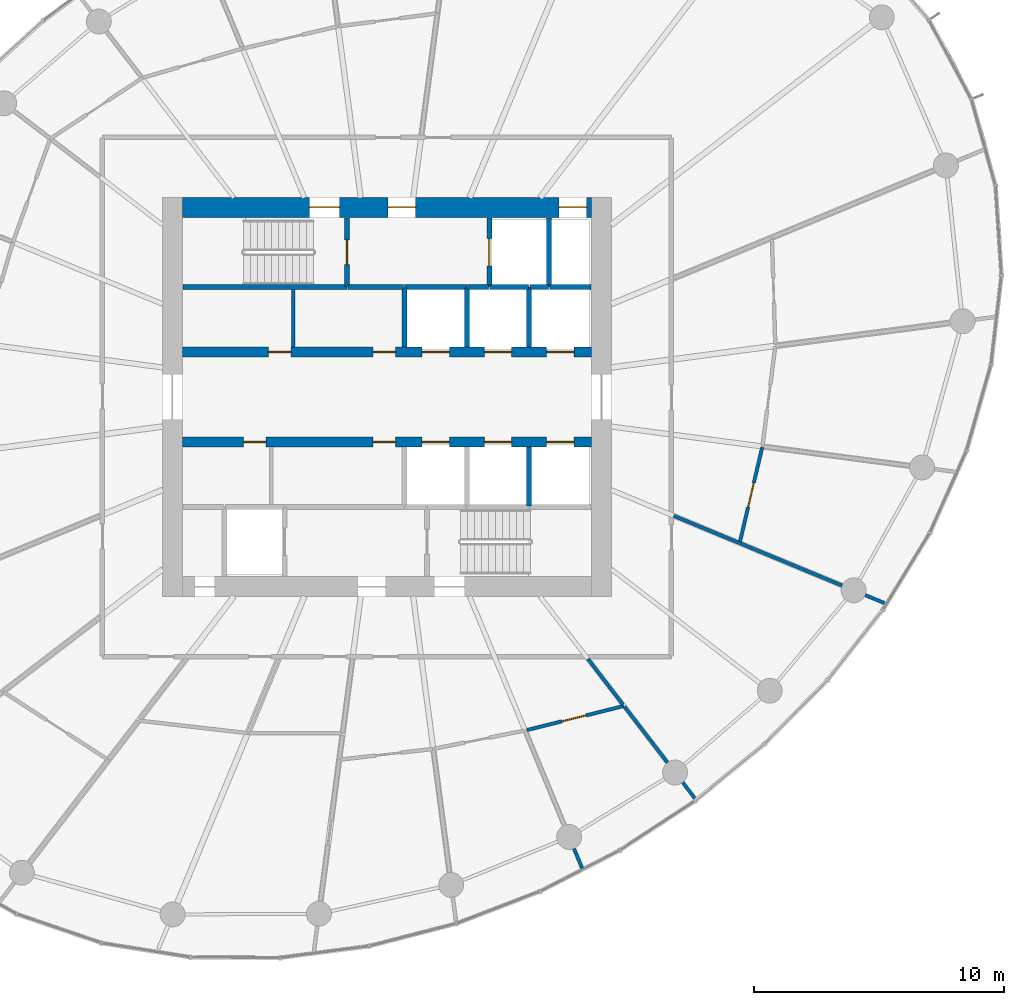
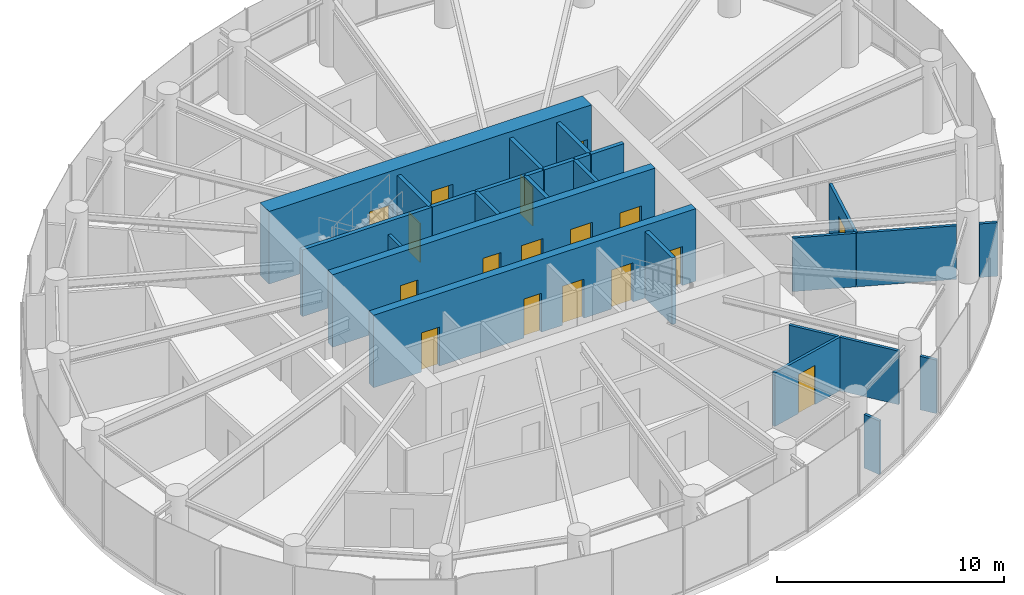
# One storey, part 10 of 14: 27 walls, 17 doors, 17 openings.
"""IFC4 building model written with IfcOpenShell, lengths in metres."""

from ifc_helpers import new_model, si_unit, direction, frame, frame_2d, origin, place, context, subcontext, project, spatial, rectangle, extrude, source, transform, mapped, material, layer, layer_set, type_object, element, fill, save


model = new_model("IFC4")

# Units and contexts
model_context = context("Model", 3, precision=1e-05, world=origin(), true_north=direction((0.0, 1.0)))
body_context = subcontext(model_context, "Body", "Model", "MODEL_VIEW")
ifc_project = project(units=[si_unit("LENGTHUNIT", "METRE"), si_unit("AREAUNIT", "SQUARE_METRE"), si_unit("VOLUMEUNIT", "CUBIC_METRE"), si_unit("PLANEANGLEUNIT", "RADIAN"), si_unit("MASSUNIT", "GRAM", prefix="KILO")], contexts=[model_context])

# Site, building, storey
site_placement = place(None, origin())
site = spatial("IfcSite", under=ifc_project, at=site_placement, CompositionType="ELEMENT")
building_placement = place(site_placement, origin())
building = spatial("IfcBuilding", under=site, at=building_placement, Name="Spindrift Exchange Tower", CompositionType="ELEMENT")
storey_placement = place(building_placement, frame((0.0, 0.0, 160.39990234375)))
storey = spatial("IfcBuildingStorey", under=building, at=storey_placement, Name="L38", CompositionType="ELEMENT", Elevation=160.39990234375)

# Wall, openings, doors
ifc_material_1 = material(Name="Concrete 65 MPa", Category="concrete")
ifc_layer_1 = layer(ifc_material_1, 0.800048828125)
ifc_layer_set_1 = layer_set([ifc_layer_1], Name="RC Core Wall 800 Concrete 65 MPa")
wall_type_1 = type_object("IfcWallType", Name="RC Core Wall 800 Concrete 65 MPa", PredefinedType="SHEAR", material=ifc_layer_set_1)
wall_1_placement = place(storey_placement, frame((60.199951171875, 55.60009765625, 0.0), z_axis=(0.0, 0.0, 1.0), x_axis=(-1.0, 0.0, 0.0)))
wall_1 = element("IfcWall", 1, at=wall_1_placement, inside=storey, type_object=wall_type_1, Name="Core wall N L38", PredefinedType="SHEAR", context=body_context, shape_type="SweptSolid", body=[
    extrude(rectangle(XDim=16.39990234375, YDim=0.800048828125, at=frame_2d((8.199951171875, 0.0))), origin(), (0.0, 0.0, 1.0), 3.900146484375),
])
opening_1_placement = place(wall_1_placement, frame((0.199951171875, 0.0, 0.0)))
opening_1 = element("IfcOpeningElement", 2, at=opening_1_placement, cuts=wall_1, Name="Opening L38-D11", PredefinedType="OPENING", context=body_context, shape_type="SweptSolid", body=[
    extrude(rectangle(XDim=1.10009765625, YDim=2.10009765625, at=frame_2d((0.550048828125, 1.050048828125))), frame((0.0, 0.409912109375, 0.0), z_axis=(0.0, -1.0, 0.0), x_axis=(1.0, 0.0, 0.0)), (0.0, 0.0, 1.0), 0.820068359375),
])
opening_2_placement = place(wall_1_placement, frame((10.10009765625, 0.0, 0.0)))
opening_2 = element("IfcOpeningElement", 3, at=opening_2_placement, cuts=wall_1, Name="Opening L38-D12", PredefinedType="OPENING", context=body_context, shape_type="SweptSolid", body=[
    extrude(rectangle(XDim=1.199951171875, YDim=2.10009765625, at=frame_2d((0.60009765625, 1.050048828125))), frame((0.0, 0.409912109375, 0.0), z_axis=(0.0, -1.0, 0.0), x_axis=(1.0, 0.0, 0.0)), (0.0, 0.0, 1.0), 0.820068359375),
])
opening_3_placement = place(wall_1_placement, frame((7.050048828125, 0.0, 0.0)))
opening_3 = element("IfcOpeningElement", 4, at=opening_3_placement, cuts=wall_1, Name="Opening L38-D14", PredefinedType="OPENING", context=body_context, shape_type="SweptSolid", body=[
    extrude(rectangle(XDim=1.10009765625, YDim=2.10009765625, at=frame_2d((0.550048828125, 1.050048828125))), frame((0.0, 0.409912109375, 0.0), z_axis=(0.0, -1.0, 0.0), x_axis=(1.0, 0.0, 0.0)), (0.0, 0.0, 1.0), 0.820068359375),
])
ifc_material_2 = material(Name="Stainless steel landing door", Category="steel")
door_type_1 = type_object("IfcDoorType", Name="DR-LANDING-1100-SL", OperationType="DOUBLE_DOOR_SLIDING", PredefinedType="USERDEFINED", material=ifc_material_2)
shared_shape_1 = source(origin(), body_context, "Body", "SweptSolid", [
    extrude(rectangle(XDim=1.10009765625, YDim=2.10009765625, at=frame_2d((0.550048828125, 1.050048828125))), frame((0.0, 0.02490234375, 0.0), z_axis=(0.0, -1.0, 0.0), x_axis=(1.0, 0.0, 0.0)), (0.0, 0.0, 1.0), 0.050048828125),
])
door_1_placement = place(opening_1_placement, origin())
door_1 = element("IfcDoor", 5, at=door_1_placement, inside=storey, type_object=door_type_1, Name="L38 Lift landing door 11", ObjectType="LANDING DOOR", OperationType="DOUBLE_DOOR_SLIDING", OverallHeight=2.10009765625, OverallWidth=1.10009765625, PredefinedType="USERDEFINED", context=body_context, shape_type="MappedRepresentation", body=[
    mapped(shared_shape_1, transform((0.0, 0.0, 0.0), scale=1.0)),
])
fill(opening_1, door_1)
ifc_material_3 = material(Name="Steel fire door", Category="steel")
door_type_2 = type_object("IfcDoorType", Name="DR-STAIR-1200", OperationType="NOTDEFINED", PredefinedType="DOOR", material=ifc_material_3)
shared_shape_2 = source(origin(), body_context, "Body", "SweptSolid", [
    extrude(rectangle(XDim=1.199951171875, YDim=2.10009765625, at=frame_2d((0.60009765625, 1.050048828125))), frame((0.0, 0.02490234375, 0.0), z_axis=(0.0, -1.0, 0.0), x_axis=(1.0, 0.0, 0.0)), (0.0, 0.0, 1.0), 0.050048828125),
])
door_2_placement = place(opening_2_placement, origin())
door_2 = element("IfcDoor", 6, at=door_2_placement, inside=storey, type_object=door_type_2, Name="L38 Stair door 12", OperationType="SINGLE_SWING_RIGHT", OverallHeight=2.10009765625, OverallWidth=1.199951171875, PredefinedType="DOOR", context=body_context, shape_type="MappedRepresentation", body=[
    mapped(shared_shape_2, transform((0.0, 0.0, 0.0), scale=1.0)),
])
fill(opening_2, door_2)
ifc_material_4 = material(Name="Timber-core fire door", Category="wood")
door_type_3 = type_object("IfcDoorType", Name="DR-LOBBY-1100", OperationType="NOTDEFINED", PredefinedType="DOOR", material=ifc_material_4)
shared_shape_3 = source(origin(), body_context, "Body", "SweptSolid", [
    extrude(rectangle(XDim=1.10009765625, YDim=2.10009765625, at=frame_2d((0.550048828125, 1.050048828125))), frame((0.0, 0.02490234375, 0.0), z_axis=(0.0, -1.0, 0.0), x_axis=(1.0, 0.0, 0.0)), (0.0, 0.0, 1.0), 0.050048828125),
])
door_3_placement = place(opening_3_placement, origin())
door_3 = element("IfcDoor", 7, at=door_3_placement, inside=storey, type_object=door_type_3, Name="L38 Lobby door 14", OperationType="SINGLE_SWING_RIGHT", OverallHeight=2.10009765625, OverallWidth=1.10009765625, PredefinedType="DOOR", context=body_context, shape_type="MappedRepresentation", body=[
    mapped(shared_shape_3, transform((0.0, 0.0, 0.0), scale=1.0)),
])
fill(opening_3, door_3)

ifc_layer_2 = layer(ifc_material_1, 0.39990234375)
ifc_layer_set_2 = layer_set([ifc_layer_2], Name="RC Spine Wall 400 Concrete 65 MPa")
wall_type_2 = type_object("IfcWallType", Name="RC Spine Wall 400 Concrete 65 MPa", PredefinedType="SHEAR", material=ifc_layer_set_2)
wall_2_placement = place(storey_placement, frame((43.800048828125, 49.800048828125, 0.0), z_axis=(0.0, 0.0, 1.0), x_axis=(1.0, 0.0, 0.0)))
wall_2 = element("IfcWall", 8, at=wall_2_placement, inside=storey, type_object=wall_type_2, Name="Core spine wall N L38", PredefinedType="SHEAR", context=body_context, shape_type="SweptSolid", body=[
    extrude(rectangle(XDim=16.39990234375, YDim=0.39990234375, at=frame_2d((8.199951171875, 0.0))), origin(), (0.0, 0.0, 1.0), 3.900146484375),
])
opening_4_placement = place(wall_2_placement, frame((9.60009765625, 0.0, 0.0)))
opening_4 = element("IfcOpeningElement", 9, at=opening_4_placement, cuts=wall_2, Name="Opening L38-D3", PredefinedType="OPENING", context=body_context, shape_type="SweptSolid", body=[
    extrude(rectangle(XDim=1.10009765625, YDim=2.10009765625, at=frame_2d((0.550048828125, 1.050048828125))), frame((0.0, 0.2099609375, 0.0), z_axis=(0.0, -1.0, 0.0), x_axis=(1.0, 0.0, 0.0)), (0.0, 0.0, 1.0), 0.419921875),
])
opening_5_placement = place(wall_2_placement, frame((12.10009765625, 0.0, 0.0)))
opening_5 = element("IfcOpeningElement", 10, at=opening_5_placement, cuts=wall_2, Name="Opening L38-D4", PredefinedType="OPENING", context=body_context, shape_type="SweptSolid", body=[
    extrude(rectangle(XDim=1.10009765625, YDim=2.10009765625, at=frame_2d((0.550048828125, 1.050048828125))), frame((0.0, 0.2099609375, 0.0), z_axis=(0.0, -1.0, 0.0), x_axis=(1.0, 0.0, 0.0)), (0.0, 0.0, 1.0), 0.419921875),
])
opening_6_placement = place(wall_2_placement, frame((14.60009765625, 0.0, 0.0)))
opening_6 = element("IfcOpeningElement", 11, at=opening_6_placement, cuts=wall_2, Name="Opening L38-D5", PredefinedType="OPENING", context=body_context, shape_type="SweptSolid", body=[
    extrude(rectangle(XDim=1.10009765625, YDim=2.10009765625, at=frame_2d((0.550048828125, 1.050048828125))), frame((0.0, 0.2099609375, 0.0), z_axis=(0.0, -1.0, 0.0), x_axis=(1.0, 0.0, 0.0)), (0.0, 0.0, 1.0), 0.419921875),
])
opening_7_placement = place(wall_2_placement, frame((3.449951171875, 0.0, 0.0)))
opening_7 = element("IfcOpeningElement", 12, at=opening_7_placement, cuts=wall_2, Name="Opening L38-D45", PredefinedType="OPENING", context=body_context, shape_type="SweptSolid", body=[
    extrude(rectangle(XDim=0.89990234375, YDim=2.10009765625, at=frame_2d((0.449951171875, 1.050048828125))), frame((0.0, 0.2099609375, 0.0), z_axis=(0.0, -1.0, 0.0), x_axis=(1.0, 0.0, 0.0)), (0.0, 0.0, 1.0), 0.419921875),
])
opening_8_placement = place(wall_2_placement, frame((7.64990234375, 0.0, 0.0)))
opening_8 = element("IfcOpeningElement", 13, at=opening_8_placement, cuts=wall_2, Name="Opening L38-D46", PredefinedType="OPENING", context=body_context, shape_type="SweptSolid", body=[
    extrude(rectangle(XDim=0.89990234375, YDim=2.10009765625, at=frame_2d((0.449951171875, 1.050048828125))), frame((0.0, 0.2099609375, 0.0), z_axis=(0.0, -1.0, 0.0), x_axis=(1.0, 0.0, 0.0)), (0.0, 0.0, 1.0), 0.419921875),
])
door_4_placement = place(opening_4_placement, origin())
door_4 = element("IfcDoor", 14, at=door_4_placement, inside=storey, type_object=door_type_1, Name="L38 Lift landing door 3", ObjectType="LANDING DOOR", OperationType="DOUBLE_DOOR_SLIDING", OverallHeight=2.10009765625, OverallWidth=1.10009765625, PredefinedType="USERDEFINED", context=body_context, shape_type="MappedRepresentation", body=[
    mapped(shared_shape_1, transform((0.0, 0.0, 0.0), scale=1.0)),
])
fill(opening_4, door_4)
door_5_placement = place(opening_5_placement, origin())
door_5 = element("IfcDoor", 15, at=door_5_placement, inside=storey, type_object=door_type_1, Name="L38 Lift landing door 4", ObjectType="LANDING DOOR", OperationType="DOUBLE_DOOR_SLIDING", OverallHeight=2.10009765625, OverallWidth=1.10009765625, PredefinedType="USERDEFINED", context=body_context, shape_type="MappedRepresentation", body=[
    mapped(shared_shape_1, transform((0.0, 0.0, 0.0), scale=1.0)),
])
fill(opening_5, door_5)
door_6_placement = place(opening_6_placement, origin())
door_6 = element("IfcDoor", 16, at=door_6_placement, inside=storey, type_object=door_type_1, Name="L38 Lift landing door 5", ObjectType="LANDING DOOR", OperationType="DOUBLE_DOOR_SLIDING", OverallHeight=2.10009765625, OverallWidth=1.10009765625, PredefinedType="USERDEFINED", context=body_context, shape_type="MappedRepresentation", body=[
    mapped(shared_shape_1, transform((0.0, 0.0, 0.0), scale=1.0)),
])
fill(opening_6, door_6)
ifc_material_5 = material(Name="Steel access door", Category="steel")
door_type_4 = type_object("IfcDoorType", Name="DR-RISER-900", OperationType="NOTDEFINED", PredefinedType="DOOR", material=ifc_material_5)
shared_shape_4 = source(origin(), body_context, "Body", "SweptSolid", [
    extrude(rectangle(XDim=0.89990234375, YDim=2.10009765625, at=frame_2d((0.449951171875, 1.050048828125))), frame((0.0, 0.02490234375, 0.0), z_axis=(0.0, -1.0, 0.0), x_axis=(1.0, 0.0, 0.0)), (0.0, 0.0, 1.0), 0.050048828125),
])
door_7_placement = place(opening_7_placement, origin())
door_7 = element("IfcDoor", 17, at=door_7_placement, inside=storey, type_object=door_type_4, Name="L38 Riser door 45", OperationType="SINGLE_SWING_LEFT", OverallHeight=2.10009765625, OverallWidth=0.89990234375, PredefinedType="DOOR", context=body_context, shape_type="MappedRepresentation", body=[
    mapped(shared_shape_4, transform((0.0, 0.0, 0.0), scale=1.0)),
])
fill(opening_7, door_7)
door_8_placement = place(opening_8_placement, origin())
door_8 = element("IfcDoor", 18, at=door_8_placement, inside=storey, type_object=door_type_4, Name="L38 Riser door 46", OperationType="SINGLE_SWING_RIGHT", OverallHeight=2.10009765625, OverallWidth=0.89990234375, PredefinedType="DOOR", context=body_context, shape_type="MappedRepresentation", body=[
    mapped(shared_shape_4, transform((0.0, 0.0, 0.0), scale=1.0)),
])
fill(opening_8, door_8)

wall_3_placement = place(storey_placement, frame((43.800048828125, 46.199951171875, 0.0), z_axis=(0.0, 0.0, 1.0), x_axis=(1.0, 0.0, 0.0)))
wall_3 = element("IfcWall", 19, at=wall_3_placement, inside=storey, type_object=wall_type_2, Name="Core spine wall S L38", PredefinedType="SHEAR", context=body_context, shape_type="SweptSolid", body=[
    extrude(rectangle(XDim=16.39990234375, YDim=0.39990234375, at=frame_2d((8.199951171875, 0.0))), origin(), (0.0, 0.0, 1.0), 3.900146484375),
])
opening_9_placement = place(wall_3_placement, frame((9.60009765625, 0.0, 0.0)))
opening_9 = element("IfcOpeningElement", 20, at=opening_9_placement, cuts=wall_3, Name="Opening L38-D6", PredefinedType="OPENING", context=body_context, shape_type="SweptSolid", body=[
    extrude(rectangle(XDim=1.10009765625, YDim=2.10009765625, at=frame_2d((0.550048828125, 1.050048828125))), frame((0.0, 0.2099609375, 0.0), z_axis=(0.0, -1.0, 0.0), x_axis=(1.0, 0.0, 0.0)), (0.0, 0.0, 1.0), 0.419921875),
])
opening_10_placement = place(wall_3_placement, frame((12.10009765625, 0.0, 0.0)))
opening_10 = element("IfcOpeningElement", 21, at=opening_10_placement, cuts=wall_3, Name="Opening L38-D7", PredefinedType="OPENING", context=body_context, shape_type="SweptSolid", body=[
    extrude(rectangle(XDim=1.10009765625, YDim=2.10009765625, at=frame_2d((0.550048828125, 1.050048828125))), frame((0.0, 0.2099609375, 0.0), z_axis=(0.0, -1.0, 0.0), x_axis=(1.0, 0.0, 0.0)), (0.0, 0.0, 1.0), 0.419921875),
])
opening_11_placement = place(wall_3_placement, frame((14.60009765625, 0.0, 0.0)))
opening_11 = element("IfcOpeningElement", 22, at=opening_11_placement, cuts=wall_3, Name="Opening L38-D8", PredefinedType="OPENING", context=body_context, shape_type="SweptSolid", body=[
    extrude(rectangle(XDim=1.10009765625, YDim=2.10009765625, at=frame_2d((0.550048828125, 1.050048828125))), frame((0.0, 0.2099609375, 0.0), z_axis=(0.0, -1.0, 0.0), x_axis=(1.0, 0.0, 0.0)), (0.0, 0.0, 1.0), 0.419921875),
])
opening_12_placement = place(wall_3_placement, frame((2.449951171875, 0.0, 0.0)))
opening_12 = element("IfcOpeningElement", 23, at=opening_12_placement, cuts=wall_3, Name="Opening L38-D47", PredefinedType="OPENING", context=body_context, shape_type="SweptSolid", body=[
    extrude(rectangle(XDim=0.89990234375, YDim=2.10009765625, at=frame_2d((0.449951171875, 1.050048828125))), frame((0.0, 0.2099609375, 0.0), z_axis=(0.0, -1.0, 0.0), x_axis=(1.0, 0.0, 0.0)), (0.0, 0.0, 1.0), 0.419921875),
])
opening_13_placement = place(wall_3_placement, frame((7.64990234375, 0.0, 0.0)))
opening_13 = element("IfcOpeningElement", 24, at=opening_13_placement, cuts=wall_3, Name="Opening L38-D48", PredefinedType="OPENING", context=body_context, shape_type="SweptSolid", body=[
    extrude(rectangle(XDim=0.89990234375, YDim=2.10009765625, at=frame_2d((0.449951171875, 1.050048828125))), frame((0.0, 0.2099609375, 0.0), z_axis=(0.0, -1.0, 0.0), x_axis=(1.0, 0.0, 0.0)), (0.0, 0.0, 1.0), 0.419921875),
])
door_9_placement = place(opening_9_placement, origin())
door_9 = element("IfcDoor", 25, at=door_9_placement, inside=storey, type_object=door_type_1, Name="L38 Lift landing door 6", ObjectType="LANDING DOOR", OperationType="DOUBLE_DOOR_SLIDING", OverallHeight=2.10009765625, OverallWidth=1.10009765625, PredefinedType="USERDEFINED", context=body_context, shape_type="MappedRepresentation", body=[
    mapped(shared_shape_1, transform((0.0, 0.0, 0.0), scale=1.0)),
])
fill(opening_9, door_9)
door_10_placement = place(opening_10_placement, origin())
door_10 = element("IfcDoor", 26, at=door_10_placement, inside=storey, type_object=door_type_1, Name="L38 Lift landing door 7", ObjectType="LANDING DOOR", OperationType="DOUBLE_DOOR_SLIDING", OverallHeight=2.10009765625, OverallWidth=1.10009765625, PredefinedType="USERDEFINED", context=body_context, shape_type="MappedRepresentation", body=[
    mapped(shared_shape_1, transform((0.0, 0.0, 0.0), scale=1.0)),
])
fill(opening_10, door_10)
door_11_placement = place(opening_11_placement, origin())
door_11 = element("IfcDoor", 27, at=door_11_placement, inside=storey, type_object=door_type_1, Name="L38 Lift landing door 8", ObjectType="LANDING DOOR", OperationType="DOUBLE_DOOR_SLIDING", OverallHeight=2.10009765625, OverallWidth=1.10009765625, PredefinedType="USERDEFINED", context=body_context, shape_type="MappedRepresentation", body=[
    mapped(shared_shape_1, transform((0.0, 0.0, 0.0), scale=1.0)),
])
fill(opening_11, door_11)
door_12_placement = place(opening_12_placement, origin())
door_12 = element("IfcDoor", 28, at=door_12_placement, inside=storey, type_object=door_type_4, Name="L38 Riser door 47", OperationType="SINGLE_SWING_LEFT", OverallHeight=2.10009765625, OverallWidth=0.89990234375, PredefinedType="DOOR", context=body_context, shape_type="MappedRepresentation", body=[
    mapped(shared_shape_4, transform((0.0, 0.0, 0.0), scale=1.0)),
])
fill(opening_12, door_12)
door_13_placement = place(opening_13_placement, origin())
door_13 = element("IfcDoor", 29, at=door_13_placement, inside=storey, type_object=door_type_4, Name="L38 Riser door 48", OperationType="SINGLE_SWING_RIGHT", OverallHeight=2.10009765625, OverallWidth=0.89990234375, PredefinedType="DOOR", context=body_context, shape_type="MappedRepresentation", body=[
    mapped(shared_shape_4, transform((0.0, 0.0, 0.0), scale=1.0)),
])
fill(opening_13, door_13)

# Wall
ifc_material_6 = material(Name="Fire-rated plasterboard partition", Category="gypsum")
ifc_layer_3 = layer(ifc_material_6, 0.139892578125)
ifc_layer_set_3 = layer_set([ifc_layer_3], Name="W-PART-140")
wall_type_3 = type_object("IfcWallType", Name="W-PART-140", PredefinedType="PARTITIONING", material=ifc_layer_set_3)
wall_4_placement = place(storey_placement, frame((66.130615234375, 42.14697265625, 0.0), z_axis=(0.0, 0.0, 1.0), x_axis=(0.923872072557, -0.382701441792, 0.0)))
element("IfcWall", 30, at=wall_4_placement, inside=storey, type_object=wall_type_3, Name="L38 Partition wall 47", PredefinedType="PARTITIONING", context=body_context, shape_type="SweptSolid", body=[
    extrude(rectangle(XDim=4.440185546875, YDim=0.139892578125, at=frame_2d((2.22021484375, 0.0))), origin(), (0.0, 0.0, 1.0), 2.880126953125),
])

# Wall, opening, door
wall_5_placement = place(storey_placement, frame((61.498779296875, 35.620849609375, 0.0), z_axis=(0.0, 0.0, 1.0), x_axis=(-0.970705214058, -0.240273567836, 0.0)))
wall_5 = element("IfcWall", 31, at=wall_5_placement, inside=storey, type_object=wall_type_3, Name="L38 Partition wall 58", PredefinedType="PARTITIONING", context=body_context, shape_type="SweptSolid", body=[
    extrude(rectangle(XDim=4.013671875, YDim=0.139892578125, at=frame_2d((2.0068359375, 0.0))), origin(), (0.0, 0.0, 1.0), 2.880126953125),
])
opening_14_placement = place(wall_5_placement, frame((1.5634765625, 0.0, 0.0)))
opening_14 = element("IfcOpeningElement", 32, at=opening_14_placement, cuts=wall_5, Name="Opening L38-D24", PredefinedType="OPENING", context=body_context, shape_type="SweptSolid", body=[
    extrude(rectangle(XDim=1.0, YDim=2.10009765625, at=frame_2d((0.5, 1.050048828125))), frame((0.0, 0.079833984375, 0.0), z_axis=(0.0, -1.0, 0.0), x_axis=(1.0, 0.0, 0.0)), (0.0, 0.0, 1.0), 0.159912109375),
])
door_type_5 = type_object("IfcDoorType", Name="DR-ROOM-1000", OperationType="NOTDEFINED", PredefinedType="DOOR", material=ifc_material_4)
shared_shape_5 = source(origin(), body_context, "Body", "SweptSolid", [
    extrude(rectangle(XDim=1.0, YDim=2.10009765625, at=frame_2d((0.5, 1.050048828125))), frame((0.0, 0.02490234375, 0.0), z_axis=(0.0, -1.0, 0.0), x_axis=(1.0, 0.0, 0.0)), (0.0, 0.0, 1.0), 0.050048828125),
])
door_14_placement = place(opening_14_placement, origin())
door_14 = element("IfcDoor", 33, at=door_14_placement, inside=storey, type_object=door_type_5, Name="L38 Door 24", OperationType="SINGLE_SWING_RIGHT", OverallHeight=2.10009765625, OverallWidth=1.0, PredefinedType="DOOR", context=body_context, shape_type="MappedRepresentation", body=[
    mapped(shared_shape_5, transform((0.0, 0.0, 0.0), scale=1.0)),
])
fill(opening_14, door_14)

wall_6_placement = place(storey_placement, frame((67.036865234375, 45.990234375, 0.0), z_axis=(0.0, 0.0, 1.0), x_axis=(-0.229452538662, -0.973319851077, 0.0)))
wall_6 = element("IfcWall", 34, at=wall_6_placement, inside=storey, type_object=wall_type_3, Name="L38 Partition wall 61", PredefinedType="PARTITIONING", context=body_context, shape_type="SweptSolid", body=[
    extrude(rectangle(XDim=3.918701171875, YDim=0.139892578125, at=frame_2d((1.95947265625, 0.0))), origin(), (0.0, 0.0, 1.0), 2.880126953125),
])
opening_15_placement = place(wall_6_placement, frame((1.46875, 0.0, 0.0)))
opening_15 = element("IfcOpeningElement", 35, at=opening_15_placement, cuts=wall_6, Name="Opening L38-D28", PredefinedType="OPENING", context=body_context, shape_type="SweptSolid", body=[
    extrude(rectangle(XDim=1.0, YDim=2.10009765625, at=frame_2d((0.5, 1.050048828125))), frame((0.0, 0.079833984375, 0.0), z_axis=(0.0, -1.0, 0.0), x_axis=(1.0, 0.0, 0.0)), (0.0, 0.0, 1.0), 0.159912109375),
])
door_15_placement = place(opening_15_placement, origin())
door_15 = element("IfcDoor", 36, at=door_15_placement, inside=storey, type_object=door_type_5, Name="L38 Door 28", OperationType="SINGLE_SWING_RIGHT", OverallHeight=2.10009765625, OverallWidth=1.0, PredefinedType="DOOR", context=body_context, shape_type="MappedRepresentation", body=[
    mapped(shared_shape_5, transform((0.0, 0.0, 0.0), scale=1.0)),
])
fill(opening_15, door_15)

# Walls
wall_7_placement = place(storey_placement, frame((63.489990234375, 43.24072265625, 0.0), z_axis=(0.0, 0.0, 1.0), x_axis=(0.923859015747, -0.382732960462, 0.0)))
element("IfcWall", 37, at=wall_7_placement, inside=storey, type_object=wall_type_3, Name="L38 Partition wall 70", PredefinedType="PARTITIONING", context=body_context, shape_type="SweptSolid", body=[
    extrude(rectangle(XDim=2.828369140625, YDim=0.139892578125, at=frame_2d((1.4140625, 0.0))), origin(), (0.0, 0.0, 1.0), 2.880126953125),
])
wall_8_placement = place(storey_placement, frame((61.51708984375, 35.59716796875, 0.0), z_axis=(0.0, 0.0, 1.0), x_axis=(0.608716333524, -0.793387941238, 0.0)))
element("IfcWall", 38, at=wall_8_placement, inside=storey, type_object=wall_type_3, Name="L38 Partition wall 71", PredefinedType="PARTITIONING", context=body_context, shape_type="SweptSolid", body=[
    extrude(rectangle(XDim=2.8251953125, YDim=0.139892578125, at=frame_2d((1.41259765625, 0.0))), origin(), (0.0, 0.0, 1.0), 2.880126953125),
])
wall_9_placement = place(storey_placement, frame((60.04931640625, 37.510009765625, 0.0), z_axis=(0.0, 0.0, 1.0), x_axis=(0.608742818772, -0.793367620081, 0.0)))
element("IfcWall", 39, at=wall_9_placement, inside=storey, type_object=wall_type_3, Name="L38 Partition wall 73", PredefinedType="PARTITIONING", context=body_context, shape_type="SweptSolid", body=[
    extrude(rectangle(XDim=2.304931640625, YDim=0.139892578125, at=frame_2d((1.15234375, 0.0))), origin(), (0.0, 0.0, 1.0), 2.880126953125),
])
wall_10_placement = place(storey_placement, frame((48.25, 50.010009765625, 0.0), z_axis=(0.0, 0.0, 1.0), x_axis=(0.0, 1.0, 0.0)))
element("IfcWall", 40, at=wall_10_placement, inside=storey, type_object=wall_type_3, Name="L38 Partition wall 75", PredefinedType="PARTITIONING", context=body_context, shape_type="SweptSolid", body=[
    extrude(rectangle(XDim=2.2900390625, YDim=0.139892578125, at=frame_2d((1.14501953125, 0.0))), origin(), (0.0, 0.0, 1.0), 2.880126953125),
])
wall_11_placement = place(storey_placement, frame((59.494140625, 29.90771484375, 0.0), z_axis=(0.0, 0.0, 1.0), x_axis=(0.382722863119, -0.923863198772, 0.0)))
element("IfcWall", 41, at=wall_11_placement, inside=storey, type_object=wall_type_3, Name="L38 Partition wall 90", PredefinedType="PARTITIONING", context=body_context, shape_type="SweptSolid", body=[
    extrude(rectangle(XDim=0.852294921875, YDim=0.139892578125, at=frame_2d((0.42626953125, 0.0))), origin(), (0.0, 0.0, 1.0), 2.880126953125),
])
wall_12_placement = place(storey_placement, frame((71.166015625, 40.061279296875, 0.0), z_axis=(0.0, 0.0, 1.0), x_axis=(0.923909393783, -0.382611332921, 0.0)))
element("IfcWall", 42, at=wall_12_placement, inside=storey, type_object=wall_type_3, Name="L38 Partition wall 95", PredefinedType="PARTITIONING", context=body_context, shape_type="SweptSolid", body=[
    extrude(rectangle(XDim=0.830810546875, YDim=0.139892578125, at=frame_2d((0.41552734375, 0.0))), origin(), (0.0, 0.0, 1.0), 2.880126953125),
])
wall_13_placement = place(storey_placement, frame((63.85107421875, 32.555419921875, 0.0), z_axis=(0.0, 0.0, 1.0), x_axis=(0.608659697441, -0.793431391307, 0.0)))
element("IfcWall", 43, at=wall_13_placement, inside=storey, type_object=wall_type_3, Name="L38 Partition wall 97", PredefinedType="PARTITIONING", context=body_context, shape_type="SweptSolid", body=[
    extrude(rectangle(XDim=0.7861328125, YDim=0.139892578125, at=frame_2d((0.39306640625, 0.0))), origin(), (0.0, 0.0, 1.0), 2.880126953125),
])

# Wall, opening, door
ifc_material_7 = material(Name="Concrete 40 MPa", Category="concrete")
ifc_layer_4 = layer(ifc_material_7, 0.199951171875)
ifc_layer_set_4 = layer_set([ifc_layer_4], Name="W-SHAFT-200")
wall_type_4 = type_object("IfcWallType", Name="W-SHAFT-200", PredefinedType="SOLIDWALL", material=ifc_layer_set_4)
wall_14_placement = place(storey_placement, frame((56.10009765625, 55.179931640625, 0.0), z_axis=(0.0, 0.0, 1.0), x_axis=(0.0, -1.0, 0.0)))
wall_14 = element("IfcWall", 44, at=wall_14_placement, inside=storey, type_object=wall_type_4, Name="L38 Shaft wall 7", PredefinedType="SOLIDWALL", context=body_context, shape_type="SweptSolid", body=[
    extrude(rectangle(XDim=2.780029296875, YDim=0.199951171875, at=frame_2d((1.39013671875, 0.0))), origin(), (0.0, 0.0, 1.0), 3.580078125),
])
opening_16_placement = place(wall_14_placement, frame((0.830078125, 0.0, 0.0)))
opening_16 = element("IfcOpeningElement", 45, at=opening_16_placement, cuts=wall_14, Name="Opening L38-D9", PredefinedType="OPENING", context=body_context, shape_type="SweptSolid", body=[
    extrude(rectangle(XDim=1.10009765625, YDim=2.10009765625, at=frame_2d((0.550048828125, 1.050048828125))), frame((0.0, 0.10986328125, 0.0), z_axis=(0.0, -1.0, 0.0), x_axis=(1.0, 0.0, 0.0)), (0.0, 0.0, 1.0), 0.219970703125),
])
door_16_placement = place(opening_16_placement, origin())
door_16 = element("IfcDoor", 46, at=door_16_placement, inside=storey, type_object=door_type_1, Name="L38 Lift landing door 9", ObjectType="LANDING DOOR", OperationType="DOUBLE_DOOR_SLIDING", OverallHeight=2.10009765625, OverallWidth=1.10009765625, PredefinedType="USERDEFINED", context=body_context, shape_type="MappedRepresentation", body=[
    mapped(shared_shape_1, transform((0.0, 0.0, 0.0), scale=1.0)),
])
fill(opening_16, door_16)

# Walls
wall_15_placement = place(storey_placement, frame((58.5, 52.39990234375, 0.0), z_axis=(0.0, 0.0, 1.0), x_axis=(0.0, 1.0, 0.0)))
element("IfcWall", 47, at=wall_15_placement, inside=storey, type_object=wall_type_4, Name="L38 Shaft wall 8", PredefinedType="SOLIDWALL", context=body_context, shape_type="SweptSolid", body=[
    extrude(rectangle(XDim=2.780029296875, YDim=0.199951171875, at=frame_2d((1.39013671875, 0.0))), origin(), (0.0, 0.0, 1.0), 3.580078125),
])
wall_16_placement = place(storey_placement, frame((55.199951171875, 52.39990234375, 0.0), z_axis=(0.0, 0.0, 1.0), x_axis=(-1.0, 0.0, 0.0)))
element("IfcWall", 48, at=wall_16_placement, inside=storey, type_object=wall_type_4, Name="L38 Shaft wall 9", PredefinedType="SOLIDWALL", context=body_context, shape_type="SweptSolid", body=[
    extrude(rectangle(XDim=2.5, YDim=0.199951171875, at=frame_2d((1.25, 0.0))), origin(), (0.0, 0.0, 1.0), 3.580078125),
])
for number, where, z_axis, x_axis, name in (
    (49, (52.699951171875, 52.3701171875, 0.0), (0.0, 0.0, 1.0), (0.0, -1.0, 0.0), "L38 Shaft wall 14"),
    (50, (55.199951171875, 50.010009765625, 0.0), (0.0, 0.0, 1.0), (0.0, 1.0, 0.0), "L38 Shaft wall 16"),
):
    element("IfcWall", number, at=place(storey_placement, frame(where, z_axis=z_axis, x_axis=x_axis)), inside=storey, type_object=wall_type_4, Name=name, PredefinedType="SOLIDWALL", context=body_context, shape_type="SweptSolid", body=[
        extrude(rectangle(XDim=2.360107421875, YDim=0.199951171875, at=frame_2d((1.18017578125, 0.0))), origin(), (0.0, 0.0, 1.0), 3.580078125),
    ])
wall_17_placement = place(storey_placement, frame((57.699951171875, 50.010009765625, 0.0), z_axis=(0.0, 0.0, 1.0), x_axis=(0.0, 1.0, 0.0)))
element("IfcWall", 51, at=wall_17_placement, inside=storey, type_object=wall_type_4, Name="L38 Shaft wall 18", PredefinedType="SOLIDWALL", context=body_context, shape_type="SweptSolid", body=[
    extrude(rectangle(XDim=2.389892578125, YDim=0.199951171875, at=frame_2d((1.19482421875, 0.0))), origin(), (0.0, 0.0, 1.0), 3.580078125),
])
wall_18_placement = place(storey_placement, frame((60.179931640625, 52.39990234375, 0.0), z_axis=(0.0, 0.0, 1.0), x_axis=(-1.0, 0.0, 0.0)))
element("IfcWall", 52, at=wall_18_placement, inside=storey, type_object=wall_type_4, Name="L38 Shaft wall 21", PredefinedType="SOLIDWALL", context=body_context, shape_type="SweptSolid", body=[
    extrude(rectangle(XDim=1.64990234375, YDim=0.199951171875, at=frame_2d((0.824951171875, 0.0))), origin(), (0.0, 0.0, 1.0), 3.580078125),
])
wall_19_placement = place(storey_placement, frame((57.669921875, 52.39990234375, 0.0), z_axis=(0.0, 0.0, 1.0), x_axis=(-1.0, 0.0, 0.0)))
element("IfcWall", 53, at=wall_19_placement, inside=storey, type_object=wall_type_4, Name="L38 Shaft wall 23", PredefinedType="SOLIDWALL", context=body_context, shape_type="SweptSolid", body=[
    extrude(rectangle(XDim=1.5400390625, YDim=0.199951171875, at=frame_2d((0.77001953125, 0.0))), origin(), (0.0, 0.0, 1.0), 3.580078125),
])
wall_20_placement = place(storey_placement, frame((56.070068359375, 52.39990234375, 0.0), z_axis=(0.0, 0.0, 1.0), x_axis=(-1.0, 0.0, 0.0)))
element("IfcWall", 54, at=wall_20_placement, inside=storey, type_object=wall_type_4, Name="L38 Shaft wall 25", PredefinedType="SOLIDWALL", context=body_context, shape_type="SweptSolid", body=[
    extrude(rectangle(XDim=0.840087890625, YDim=0.199951171875, at=frame_2d((0.419921875, 0.0))), origin(), (0.0, 0.0, 1.0), 3.580078125),
])
wall_21_placement = place(storey_placement, frame((58.469970703125, 52.39990234375, 0.0), z_axis=(0.0, 0.0, 1.0), x_axis=(-1.0, 0.0, 0.0)))
element("IfcWall", 55, at=wall_21_placement, inside=storey, type_object=wall_type_4, Name="L38 Shaft wall 26", PredefinedType="SOLIDWALL", context=body_context, shape_type="SweptSolid", body=[
    extrude(rectangle(XDim=0.739990234375, YDim=0.199951171875, at=frame_2d((0.3701171875, 0.0))), origin(), (0.0, 0.0, 1.0), 3.580078125),
])
ifc_layer_5 = layer(ifc_material_7, 0.199951171875)
ifc_layer_set_5 = layer_set([ifc_layer_5], Name="W-SHAFT-200-LB")
wall_type_5 = type_object("IfcWallType", Name="W-SHAFT-200-LB", PredefinedType="SOLIDWALL", material=ifc_layer_set_5)
wall_22_placement = place(storey_placement, frame((43.820068359375, 52.39990234375, 0.0), z_axis=(0.0, 0.0, 1.0), x_axis=(1.0, 0.0, 0.0)))
element("IfcWall", 56, at=wall_22_placement, inside=storey, type_object=wall_type_5, Name="L38 Shaft wall 1", PredefinedType="SOLIDWALL", context=body_context, shape_type="SweptSolid", body=[
    extrude(rectangle(XDim=6.579833984375, YDim=0.199951171875, at=frame_2d((3.2900390625, 0.0))), origin(), (0.0, 0.0, 1.0), 3.580078125),
])

# Wall, opening, door
wall_23_placement = place(storey_placement, frame((50.39990234375, 52.429931640625, 0.0), z_axis=(0.0, 0.0, 1.0), x_axis=(0.0, 1.0, 0.0)))
wall_23 = element("IfcWall", 57, at=wall_23_placement, inside=storey, type_object=wall_type_5, Name="L38 Shaft wall 5", PredefinedType="SOLIDWALL", context=body_context, shape_type="SweptSolid", body=[
    extrude(rectangle(XDim=2.75, YDim=0.199951171875, at=frame_2d((1.375, 0.0))), origin(), (0.0, 0.0, 1.0), 3.580078125),
])
opening_17_placement = place(wall_23_placement, frame((0.8701171875, 0.0, 0.0)))
opening_17 = element("IfcOpeningElement", 58, at=opening_17_placement, cuts=wall_23, Name="Opening L38-D13", PredefinedType="OPENING", context=body_context, shape_type="SweptSolid", body=[
    extrude(rectangle(XDim=1.0, YDim=2.10009765625, at=frame_2d((0.5, 1.050048828125))), frame((0.0, 0.10986328125, 0.0), z_axis=(0.0, -1.0, 0.0), x_axis=(1.0, 0.0, 0.0)), (0.0, 0.0, 1.0), 0.219970703125),
])
door_type_6 = type_object("IfcDoorType", Name="DR-STAIR-1000", OperationType="NOTDEFINED", PredefinedType="DOOR", material=ifc_material_3)
shared_shape_6 = source(origin(), body_context, "Body", "SweptSolid", [
    extrude(rectangle(XDim=1.0, YDim=2.10009765625, at=frame_2d((0.5, 1.050048828125))), frame((0.0, 0.02490234375, 0.0), z_axis=(0.0, -1.0, 0.0), x_axis=(1.0, 0.0, 0.0)), (0.0, 0.0, 1.0), 0.050048828125),
])
door_17_placement = place(opening_17_placement, origin())
door_17 = element("IfcDoor", 59, at=door_17_placement, inside=storey, type_object=door_type_6, Name="L38 Stair door 13", OperationType="SINGLE_SWING_LEFT", OverallHeight=2.10009765625, OverallWidth=1.0, PredefinedType="DOOR", context=body_context, shape_type="MappedRepresentation", body=[
    mapped(shared_shape_6, transform((0.0, 0.0, 0.0), scale=1.0)),
])
fill(opening_17, door_17)

# Walls
wall_24_placement = place(storey_placement, frame((57.699951171875, 43.6298828125, 0.0), z_axis=(0.0, 0.0, 1.0), x_axis=(0.0, 1.0, 0.0)))
element("IfcWall", 60, at=wall_24_placement, inside=storey, type_object=wall_type_5, Name="L38 Shaft wall 17", PredefinedType="SOLIDWALL", context=body_context, shape_type="SweptSolid", body=[
    extrude(rectangle(XDim=2.360107421875, YDim=0.199951171875, at=frame_2d((1.18017578125, 0.0))), origin(), (0.0, 0.0, 1.0), 3.580078125),
])
wall_25_placement = place(storey_placement, frame((50.429931640625, 52.39990234375, 0.0), z_axis=(0.0, 0.0, 1.0), x_axis=(1.0, 0.0, 0.0)))
element("IfcWall", 61, at=wall_25_placement, inside=storey, type_object=wall_type_5, Name="L38 Shaft wall 19", PredefinedType="SOLIDWALL", context=body_context, shape_type="SweptSolid", body=[
    extrude(rectangle(XDim=2.239990234375, YDim=0.199951171875, at=frame_2d((1.1201171875, 0.0))), origin(), (0.0, 0.0, 1.0), 3.580078125),
])

save(model, "model.ifc")
